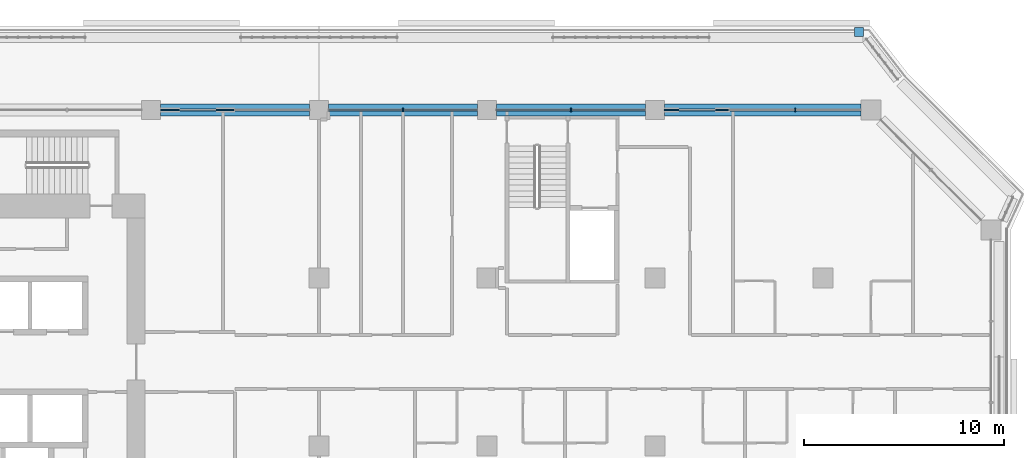
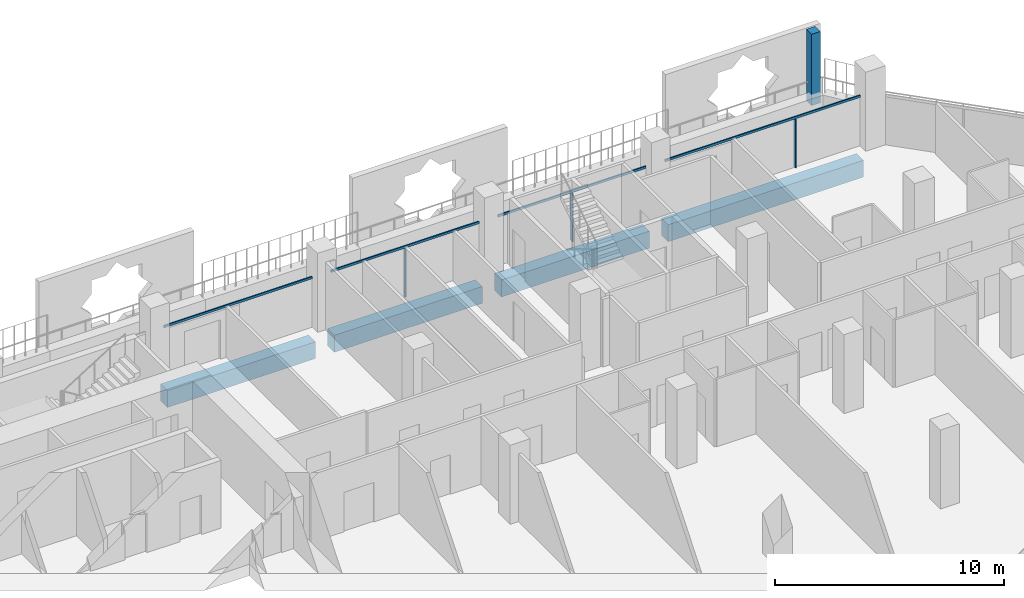
# One storey, part 6 of 22: 8 members, 4 beams, 2 elements without a shape of their own.
"""IFC4 building model written with IfcOpenShell, lengths in metres."""

import ifcopenshell
import ifcopenshell.guid

model = None  # the IFC model being written
_history = None  # IfcOwnerHistory: only IFC2X3 demands one
_inside = {}  # id of a spatial element -> (the spatial element, [elements in it])
_under = {}  # id of a project, library or spatial element -> (it, [spatial elements below it])
_declared = {}  # id of a project -> (the project, [libraries it declares])
_typed = {}  # id of a type object -> (the type object, [elements of that type])
_made_of = {}  # id of a material, layer set ... -> (it, [elements and type objects made of it])


def new_model(schema):
    """Start an empty IFC model of exactly this schema.

    Asked for "IFC4X3", IfcOpenShell would pick the latest addendum, in which some entities
    have other attributes; the version numbers below select the first issue.
    IFC2X3 requires an IfcOwnerHistory on every rooted entity: one is made here for all.
    """
    global model, _history
    if schema == "IFC4X3":
        model = ifcopenshell.file(schema_version=(4, 3, 0, 0))
    else:
        model = ifcopenshell.file(schema=schema)
    _inside.clear()
    _under.clear()
    _declared.clear()
    _typed.clear()
    _made_of.clear()
    _history = None
    if model.schema == "IFC2X3":
        org = make("IfcOrganization", Name="unknown")
        user = make(
            "IfcPersonAndOrganization",
            ThePerson=make("IfcPerson", FamilyName="unknown"),
            TheOrganization=org,
        )
        app = make(
            "IfcApplication",
            ApplicationDeveloper=org,
            Version="unknown",
            ApplicationFullName="unknown",
            ApplicationIdentifier="unknown",
        )
        _history = make(
            "IfcOwnerHistory",
            OwningUser=user,
            OwningApplication=app,
            ChangeAction="ADDED",
            CreationDate=0,
        )
    return model


def make(cls, **values):
    """One entity of the class cls with the attributes given. An attribute that is None is left unset."""
    return model.create_entity(
        cls, **{name: value for name, value in values.items() if value is not None}
    )


def rooted(cls, **values):
    """An entity with a GlobalId (a new one), such as an element, a storey or a relation."""
    return make(cls, GlobalId=ifcopenshell.guid.new(), OwnerHistory=_history, **values)


def si_unit(unit_type, name, prefix=None):
    """IfcSIUnit, for example si_unit("LENGTHUNIT", "METRE", prefix="MILLI")."""
    return make("IfcSIUnit", UnitType=unit_type, Prefix=prefix, Name=name)


def assignment(units):
    """IfcUnitAssignment: the units of a project."""
    return None if units is None else make("IfcUnitAssignment", Units=units)


def point(xyz):
    """IfcCartesianPoint."""
    return None if xyz is None else make("IfcCartesianPoint", Coordinates=xyz)


def direction(xyz):
    """IfcDirection."""
    return None if xyz is None else make("IfcDirection", DirectionRatios=xyz)


def frame(location, z_axis=None, x_axis=None):
    """IfcAxis2Placement3D, a coordinate frame: its origin and axes. An axis left out is left unset."""
    return make(
        "IfcAxis2Placement3D",
        Location=point(location),
        Axis=direction(z_axis),
        RefDirection=direction(x_axis),
    )


def frame_2d(location, x_axis=None):
    """IfcAxis2Placement2D, a coordinate frame in the plane: its origin and x axis."""
    return make(
        "IfcAxis2Placement2D", Location=point(location), RefDirection=direction(x_axis)
    )


def origin():
    """The frame at (0, 0, 0) with its axes left unset."""
    return frame((0.0, 0.0, 0.0))


def origin_2d():
    """The frame at (0, 0) in the plane with its x axis left unset."""
    return frame_2d((0.0, 0.0))


def place(relative_to, where):
    """IfcLocalPlacement: puts the frame where relative to a parent placement (None: the world)."""
    return make(
        "IfcLocalPlacement", PlacementRelTo=relative_to, RelativePlacement=where
    )


def context(
    kind, dimensions, precision=None, world=None, true_north=None, identifier=None
):
    """IfcGeometricRepresentationContext, for example the 3D "Model" context."""
    return make(
        "IfcGeometricRepresentationContext",
        ContextIdentifier=identifier,
        ContextType=kind,
        CoordinateSpaceDimension=dimensions,
        Precision=precision,
        WorldCoordinateSystem=world,
        TrueNorth=true_north,
    )


def subcontext(parent, identifier, kind, view, scale=None):
    """IfcGeometricRepresentationSubContext, for example "Body" below "Model"."""
    return make(
        "IfcGeometricRepresentationSubContext",
        ContextIdentifier=identifier,
        ContextType=kind,
        ParentContext=parent,
        TargetScale=scale,
        TargetView=view,
    )


def project(units=None, contexts=None):
    """IfcProject with its units and contexts."""
    return rooted(
        "IfcProject",
        Name="project",
        RepresentationContexts=contexts,
        UnitsInContext=assignment(units),
    )


def spatial(cls, under=None, at=None, **own):
    """A site, building, storey or space (cls), placed at a placement, below another one or the project."""
    s = rooted(cls, ObjectPlacement=at, **own)
    if under is not None:
        _under.setdefault(under.id(), (under, []))[1].append(s)
    return s


def profile(cls, at=None, kind="AREA", **sizes):
    """A parametric profile (cls). Its sizes go by their IFC names, for example OverallWidth=200.0."""
    return make(cls, ProfileType=kind, Position=at, **sizes)


def rectangle(**sizes):
    """IfcRectangleProfileDef."""
    return profile("IfcRectangleProfileDef", **sizes)


def extrude(swept, where, along, depth):
    """IfcExtrudedAreaSolid: the profile swept, set in the frame where, extruded along a direction by depth."""
    return make(
        "IfcExtrudedAreaSolid",
        SweptArea=swept,
        Position=where,
        ExtrudedDirection=direction(along),
        Depth=depth,
    )


def shape(context_of_items, identifier, shape_type, items):
    """IfcShapeRepresentation: the items that make up one representation, for example the "Body"."""
    return make(
        "IfcShapeRepresentation",
        ContextOfItems=context_of_items,
        RepresentationIdentifier=identifier,
        RepresentationType=shape_type,
        Items=items,
    )


def material(Name=None, Category=None):
    """IfcMaterial."""
    return make("IfcMaterial", Name=Name, Category=Category)


def layer(
    of_material, thickness, ventilated=None, Name=None, Category=None, Priority=None
):
    """IfcMaterialLayer: one layer of a wall or slab, of a material (None: an air gap)."""
    return make(
        "IfcMaterialLayer",
        Material=of_material,
        LayerThickness=thickness,
        IsVentilated=ventilated,
        Name=Name,
        Category=Category,
        Priority=Priority,
    )


def layer_set(layers, Name=None):
    """IfcMaterialLayerSet."""
    return make("IfcMaterialLayerSet", MaterialLayers=layers, LayerSetName=Name)


def material_profile(
    of_material, cross_section, Name=None, Category=None, Priority=None
):
    """IfcMaterialProfile: a cross section and its material."""
    return make(
        "IfcMaterialProfile",
        Name=Name,
        Material=of_material,
        Profile=cross_section,
        Priority=Priority,
        Category=Category,
    )


def profile_set(profiles, Name=None, composite=None):
    """IfcMaterialProfileSet."""
    return make(
        "IfcMaterialProfileSet",
        Name=Name,
        MaterialProfiles=profiles,
        CompositeProfile=composite,
    )


def made_of(thing, what):
    """Note that an element or type object is made of a material, layer set ...; save() writes the relation."""
    if what is not None:
        _made_of.setdefault(what.id(), (what, []))[1].append(thing)
    return thing


def type_object(cls, material=None, **own):
    """A type object (cls), such as IfcWallType, which elements share."""
    return made_of(rooted(cls, **own), material)


def element(
    cls,
    number,
    at=None,
    inside=None,
    cuts=None,
    type_object=None,
    material=None,
    context=None,
    identifier="Body",
    shape_type=None,
    held_by="IfcProductDefinitionShape",
    body=None,
    shapes=None,
    **own,
):
    """One element of the class cls, such as IfcWall. Its Tag is "e" and its number.

    at: its placement. inside: the storey or other place that contains it. cuts: it is an
    opening in that element (IfcRelVoidsElement). A single representation is given by context,
    identifier, shape_type and body (its items); several are given by shapes. held_by: the class
    of the entity that holds the representations. save() writes the other relations.
    """
    e = rooted(cls, Tag="e%d" % number, ObjectPlacement=at, **own)
    if body is not None:
        shapes = [shape(context, identifier, shape_type, body)]
    if shapes is not None:
        e.Representation = make(held_by, Representations=shapes)
    if inside is not None:
        _inside.setdefault(inside.id(), (inside, []))[1].append(e)
    if cuts is not None:
        rooted(
            "IfcRelVoidsElement", RelatingBuildingElement=cuts, RelatedOpeningElement=e
        )
    if type_object is not None:
        _typed.setdefault(type_object.id(), (type_object, []))[1].append(e)
    return made_of(e, material)


def aggregate(whole, parts):
    """IfcRelAggregates: a whole, such as a stair, and the parts it consists of."""
    return rooted("IfcRelAggregates", RelatingObject=whole, RelatedObjects=parts)


def save(model, path):
    """Write the relations noted so far, then the file.

    IfcRelAggregates (storeys below a building ...), IfcRelContainedInSpatialStructure (elements
    in a storey), IfcRelDefinesByType, IfcRelAssociatesMaterial and IfcRelDeclares: one each for
    every whole, place, type object, material and project.
    """
    for whole, parts in _under.values():
        aggregate(whole, parts)
    for where, things in _inside.values():
        rooted(
            "IfcRelContainedInSpatialStructure",
            RelatedElements=things,
            RelatingStructure=where,
        )
    for kind, things in _typed.values():
        rooted("IfcRelDefinesByType", RelatedObjects=things, RelatingType=kind)
    for what, things in _made_of.values():
        rooted("IfcRelAssociatesMaterial", RelatedObjects=things, RelatingMaterial=what)
    for by, libraries in _declared.values():
        rooted("IfcRelDeclares", RelatingContext=by, RelatedDefinitions=libraries)
    model.write(path)


model = new_model("IFC4")

# Units and contexts
model_context = context("Model", 3, precision=1e-05, world=origin(), true_north=direction((0.0, 1.0)))
body_context = subcontext(model_context, "Body", "Model", "MODEL_VIEW")
ifc_project = project(units=[si_unit("LENGTHUNIT", "METRE"), si_unit("AREAUNIT", "SQUARE_METRE"), si_unit("VOLUMEUNIT", "CUBIC_METRE"), si_unit("PLANEANGLEUNIT", "RADIAN"), si_unit("MASSUNIT", "GRAM", prefix="KILO")], contexts=[model_context])

# Site, building, storey
site_placement = place(None, origin())
site = spatial("IfcSite", under=ifc_project, at=site_placement, CompositionType="ELEMENT")
building_placement = place(site_placement, origin())
building = spatial("IfcBuilding", under=site, at=building_placement, Name="Kawkab Arch Medical Tower", CompositionType="ELEMENT")
storey_placement = place(building_placement, frame((0.0, 0.0, 187.800048828125)))
storey = spatial("IfcBuildingStorey", under=building, at=storey_placement, Name="L43", CompositionType="ELEMENT", Elevation=187.800048828125)

# Curtain wall, members
ifc_material_1 = material(Name="Bronze anodised aluminium curtain wall frame", Category="aluminium")
ifc_layer_1 = layer(ifc_material_1, 0.159912109375)
ifc_layer_set_1 = layer_set([ifc_layer_1], Name="Bronze anodised aluminium curtain wall frame")
curtain_wall_type_1 = type_object("IfcCurtainWallType", Name="CW1 ward curtain wall", PredefinedType="NOTDEFINED", material=ifc_layer_set_1)
placement = place(storey_placement, origin())
curtain_wall_1 = element("IfcCurtainWall", 1, at=placement, inside=storey, type_object=curtain_wall_type_1, Name="CW1 Ward curtain wall R11", PredefinedType="NOTDEFINED")
ifc_material_2 = material(Name="Bronze anodised aluminium curtain wall frame", Category="aluminium")
ifc_material_profile_1 = material_profile(ifc_material_2, rectangle(XDim=0.179931640625, YDim=0.06005859375, at=origin_2d()), Name="AL 60x180")
ifc_profile_set_1 = profile_set([ifc_material_profile_1], Name="Bronze anodised aluminium curtain wall frame")
member_type_1 = type_object("IfcMemberType", Name="CW1 mullion 60 x 180", PredefinedType="MULLION", material=ifc_profile_set_1)
member_1_placement = place(storey_placement, frame((57.425048828125, 0.0, 0.0), z_axis=(0.0, 0.0, 1.0), x_axis=(0.0, -1.0, 0.0)))
member_1 = element("IfcMember", 2, at=member_1_placement, type_object=member_type_1, Name="CW1 mullion 1.1", PredefinedType="MULLION", context=body_context, shape_type="SweptSolid", body=[
    extrude(rectangle(XDim=0.179931640625, YDim=0.06005859375, at=origin_2d()), origin(), (0.0, 0.0, 1.0), 2.579833984375),
])
member_2_placement = place(storey_placement, frame((46.199951171875, 0.0, 0.0), z_axis=(0.0, 0.0, 1.0), x_axis=(0.0, -1.0, 0.0)))
member_2 = element("IfcMember", 3, at=member_2_placement, type_object=member_type_1, Name="CW1 mullion 2.1", PredefinedType="MULLION", context=body_context, shape_type="SweptSolid", body=[
    extrude(rectangle(XDim=0.179931640625, YDim=0.06005859375, at=origin_2d()), origin(), (0.0, 0.0, 1.0), 2.579833984375),
])
member_3_placement = place(storey_placement, frame((37.800048828125, 0.0, 0.0), z_axis=(0.0, 0.0, 1.0), x_axis=(0.0, -1.0, 0.0)))
member_3 = element("IfcMember", 4, at=member_3_placement, type_object=member_type_1, Name="CW1 mullion 3.1", PredefinedType="MULLION", context=body_context, shape_type="SweptSolid", body=[
    extrude(rectangle(XDim=0.179931640625, YDim=0.06005859375, at=origin_2d()), origin(), (0.0, 0.0, 1.0), 2.579833984375),
])
ifc_material_3 = material(Name="Bronze anodised aluminium curtain wall frame", Category="aluminium")
ifc_material_profile_2 = material_profile(ifc_material_3, rectangle(XDim=0.06005859375, YDim=0.1201171875, at=origin_2d()), Name="AL 60x120")
ifc_profile_set_2 = profile_set([ifc_material_profile_2], Name="Bronze anodised aluminium curtain wall frame")
member_type_2 = type_object("IfcMemberType", Name="CW1 transom 120 x 60", PredefinedType="USERDEFINED", material=ifc_profile_set_2)
member_4_placement = place(storey_placement, frame((60.699951171875, 0.0, 2.639892578125), z_axis=(-1.0, 0.0, 0.0), x_axis=(0.0, -1.0, 0.0)))
member_4 = element("IfcMember", 5, at=member_4_placement, type_object=member_type_2, Name="CW1 transom 1", ObjectType="TRANSOM", PredefinedType="USERDEFINED", context=body_context, shape_type="SweptSolid", body=[
    extrude(rectangle(XDim=0.06005859375, YDim=0.1201171875, at=origin_2d()), origin(), (0.0, 0.0, 1.0), 9.824951171875),
])
member_5_placement = place(storey_placement, frame((49.925048828125, 0.0, 2.639892578125), z_axis=(-1.0, 0.0, 0.0), x_axis=(0.0, -1.0, 0.0)))
member_5 = element("IfcMember", 6, at=member_5_placement, type_object=member_type_2, Name="CW1 transom 2", ObjectType="TRANSOM", PredefinedType="USERDEFINED", context=body_context, shape_type="SweptSolid", body=[
    extrude(rectangle(XDim=0.06005859375, YDim=0.1201171875, at=origin_2d()), origin(), (0.0, 0.0, 1.0), 7.449951171875),
])
member_6_placement = place(storey_placement, frame((41.52490234375, 0.0, 2.639892578125), z_axis=(-1.0, 0.0, 0.0), x_axis=(0.0, -1.0, 0.0)))
member_6 = element("IfcMember", 7, at=member_6_placement, type_object=member_type_2, Name="CW1 transom 3", ObjectType="TRANSOM", PredefinedType="USERDEFINED", context=body_context, shape_type="SweptSolid", body=[
    extrude(rectangle(XDim=0.06005859375, YDim=0.1201171875, at=origin_2d()), origin(), (0.0, 0.0, 1.0), 7.449951171875),
])
member_7_placement = place(storey_placement, frame((33.125, 0.0, 2.639892578125), z_axis=(-1.0, 0.0, 0.0), x_axis=(0.0, -1.0, 0.0)))
member_7 = element("IfcMember", 8, at=member_7_placement, type_object=member_type_2, Name="CW1 transom 4", ObjectType="TRANSOM", PredefinedType="USERDEFINED", context=body_context, shape_type="SweptSolid", body=[
    extrude(rectangle(XDim=0.06005859375, YDim=0.1201171875, at=origin_2d()), origin(), (0.0, 0.0, 1.0), 7.449951171875),
])
aggregate(curtain_wall_1, [member_4, member_1, member_5, member_2, member_6, member_3, member_7])

# Curtain wall, member
ifc_material_4 = material(Name="Bronze anodised aluminium climber frame, planted", Category="aluminium")
ifc_layer_2 = layer(ifc_material_4, 0.449951171875)
ifc_layer_set_2 = layer_set([ifc_layer_2], Name="Bronze anodised aluminium climber frame, planted")
curtain_wall_type_2 = type_object("IfcCurtainWallType", Name="Planted climber frame", PredefinedType="NOTDEFINED", material=ifc_layer_set_2)
curtain_wall_2 = element("IfcCurtainWall", 9, at=placement, inside=storey, type_object=curtain_wall_type_2, Name="Planted climber frame L43", PredefinedType="NOTDEFINED")
ifc_material_5 = material(Name="Bronze anodised aluminium climber frame, planted", Category="aluminium")
ifc_material_profile_3 = material_profile(ifc_material_5, rectangle(XDim=0.449951171875, YDim=0.449951171875, at=origin_2d()), Name="Post 450x450")
ifc_profile_set_3 = profile_set([ifc_material_profile_3], Name="Bronze anodised aluminium climber frame, planted")
member_type_3 = type_object("IfcMemberType", Name="Planted climber post 450 x 450", PredefinedType="MULLION", material=ifc_profile_set_3)
member_8_placement = place(storey_placement, frame((60.60302734375, 3.89990234375, 0.0), z_axis=(0.0, 0.0, 1.0), x_axis=(1.0, 0.0, 0.0)))
member_8 = element("IfcMember", 10, at=member_8_placement, type_object=member_type_3, Name="Planted climber post L43.LOG-01-01.2", PredefinedType="MULLION", context=body_context, shape_type="SweptSolid", body=[
    extrude(rectangle(XDim=0.449951171875, YDim=0.449951171875, at=origin_2d()), origin(), (0.0, 0.0, 1.0), 3.800048828125),
])
aggregate(curtain_wall_2, [member_8])

# Beams
ifc_material_6 = material(Name="Concrete C50/60", Category="concrete")
ifc_material_profile_4 = material_profile(ifc_material_6, rectangle(XDim=0.60009765625, YDim=0.89990234375, at=origin_2d()), Name="RC 600x900")
ifc_profile_set_4 = profile_set([ifc_material_profile_4], Name="Concrete C50/60")
beam_type = type_object("IfcBeamType", Name="RC 600x900 beam C50/60", PredefinedType="BEAM", material=ifc_profile_set_4)
for number, where, z_axis, x_axis, name in (
    (11, (25.675048828125, 0.0, -1.050048828125), (1.0, 0.0, 0.0), (0.0, 1.0, 0.0), "Overhang edge beam L43-04"),
    (12, (34.074951171875, 0.0, -1.050048828125), (1.0, 0.0, 0.0), (0.0, 1.0, 0.0), "Overhang edge beam L43-05"),
    (13, (42.47509765625, 0.0, -1.050048828125), (1.0, 0.0, 0.0), (0.0, 1.0, 0.0), "Overhang edge beam L43-06"),
):
    element("IfcBeam", number, at=place(storey_placement, frame(where, z_axis=z_axis, x_axis=x_axis)), inside=storey, type_object=beam_type, Name=name, PredefinedType="BEAM", context=body_context, shape_type="SweptSolid", body=[
        extrude(rectangle(XDim=0.60009765625, YDim=0.89990234375, at=origin_2d()), origin(), (0.0, 0.0, 1.0), 7.449951171875),
    ])
beam_placement = place(storey_placement, frame((50.875, 0.0, -1.050048828125), z_axis=(1.0, 0.0, 0.0), x_axis=(0.0, 1.0, 0.0)))
element("IfcBeam", 14, at=beam_placement, inside=storey, type_object=beam_type, Name="Overhang edge beam L43-07", PredefinedType="BEAM", context=body_context, shape_type="SweptSolid", body=[
    extrude(rectangle(XDim=0.60009765625, YDim=0.89990234375, at=origin_2d()), origin(), (0.0, 0.0, 1.0), 9.824951171875),
])

save(model, "model.ifc")
